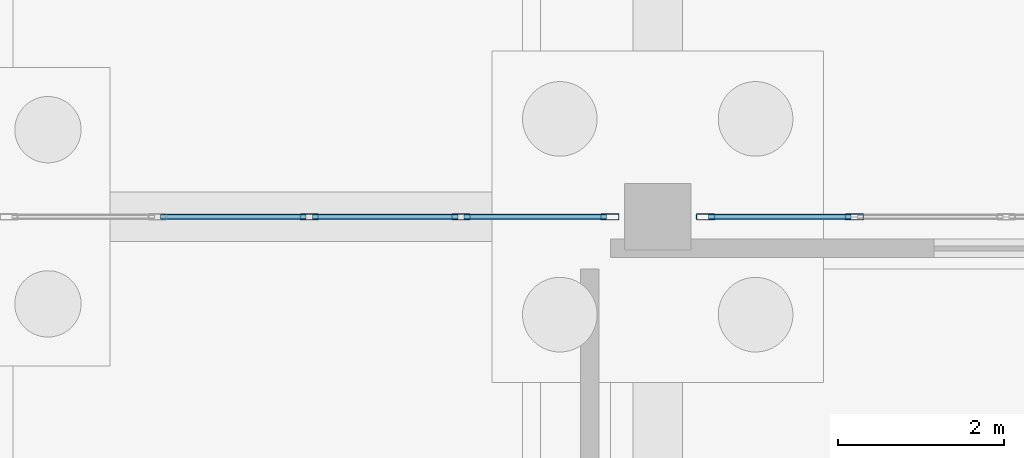
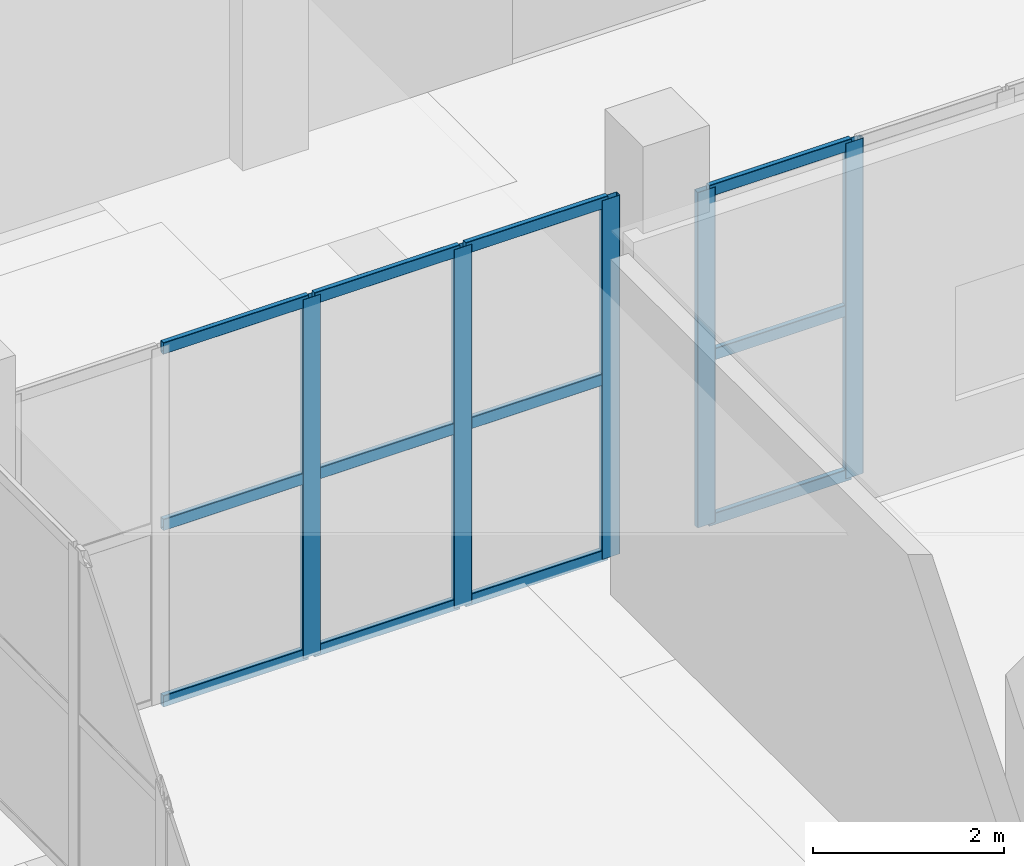
# One storey, part 24 of 65: 17 members, 2 elements without a shape of their own.
"""IFC4 building model written with IfcOpenShell, lengths in metres."""

from ifc_helpers import new_model, si_unit, direction, frame, origin, origin_2d, place, context, subcontext, project, spatial, hollow_rectangle, extrude, material, layer, layer_set, material_profile, profile_set, type_object, element, aggregate, save


model = new_model("IFC4")

# Units and contexts
model_context = context("Model", 3, precision=1e-05, world=origin(), true_north=direction((0.0, 1.0)))
body_context = subcontext(model_context, "Body", "Model", "MODEL_VIEW")
ifc_project = project(units=[si_unit("LENGTHUNIT", "METRE"), si_unit("AREAUNIT", "SQUARE_METRE"), si_unit("VOLUMEUNIT", "CUBIC_METRE"), si_unit("PLANEANGLEUNIT", "RADIAN"), si_unit("MASSUNIT", "GRAM", prefix="KILO")], contexts=[model_context])

# Site, building, storey
site_placement = place(None, origin())
site = spatial("IfcSite", under=ifc_project, at=site_placement, CompositionType="ELEMENT")
building_placement = place(site_placement, origin())
building = spatial("IfcBuilding", under=site, at=building_placement, Name="Zulmaris Art Gallery", CompositionType="ELEMENT")
storey_placement = place(building_placement, origin())
storey = spatial("IfcBuildingStorey", under=building, at=storey_placement, Name="L00", CompositionType="ELEMENT", Elevation=0.0)

# Curtain wall, members
ifc_material_1 = material(Name="Unitised Low-E Gallery Curtain Wall", Category="aluminium")
ifc_layer = layer(ifc_material_1, 0.179931640625)
ifc_layer_set = layer_set([ifc_layer], Name="Unitised Low-E Gallery Curtain Wall")
curtain_wall_type = type_object("IfcCurtainWallType", Name="CW-CW01", PredefinedType="NOTDEFINED", material=ifc_layer_set)
curtain_wall_1_placement = place(storey_placement, origin())
curtain_wall_1 = element("IfcCurtainWall", 1, at=curtain_wall_1_placement, inside=storey, type_object=curtain_wall_type, Name="L00 curtain wall 88", PredefinedType="NOTDEFINED")
ifc_material_2 = material(Name="Anodised Bronze Aluminium", Category="aluminium")
ifc_material_profile_1 = material_profile(ifc_material_2, hollow_rectangle(XDim=0.074951171875, YDim=0.219970703125, WallThickness=0.0048828125, InnerFilletRadius=0.007568359375, OuterFilletRadius=0.012451171875, at=origin_2d()), Name="ALU 75x220x5")
ifc_profile_set_1 = profile_set([ifc_material_profile_1], Name="Anodised Bronze Aluminium")
member_type_1 = type_object("IfcMemberType", Name="CWMUL-02", PredefinedType="MULLION", material=ifc_profile_set_1)
member_1_placement = place(storey_placement, frame((129.0, 58.800048828125, 0.0), z_axis=(0.0, 0.0, 1.0), x_axis=(0.0, 1.0, 0.0)))
member_1 = element("IfcMember", 2, at=member_1_placement, type_object=member_type_1, Name="CW01 mullion 3", PredefinedType="MULLION", context=body_context, shape_type="SweptSolid", body=[
    extrude(hollow_rectangle(XDim=0.074951171875, YDim=0.219970703125, WallThickness=0.0048828125, InnerFilletRadius=0.007568359375, OuterFilletRadius=0.012451171875, at=origin_2d()), origin(), (0.0, 0.0, 1.0), 4.590087890625),
])
member_2_placement = place(storey_placement, frame((130.830078125, 58.800048828125, 0.0), z_axis=(0.0, 0.0, 1.0), x_axis=(0.0, 1.0, 0.0)))
member_2 = element("IfcMember", 3, at=member_2_placement, type_object=member_type_1, Name="CW01 mullion 4", PredefinedType="MULLION", context=body_context, shape_type="SweptSolid", body=[
    extrude(hollow_rectangle(XDim=0.074951171875, YDim=0.219970703125, WallThickness=0.0048828125, InnerFilletRadius=0.007568359375, OuterFilletRadius=0.012451171875, at=origin_2d()), origin(), (0.0, 0.0, 1.0), 4.590087890625),
])
member_3_placement = place(storey_placement, frame((132.62255859375, 58.800048828125, 0.0), z_axis=(0.0, 0.0, 1.0), x_axis=(0.0, 1.0, 0.0)))
member_3 = element("IfcMember", 4, at=member_3_placement, type_object=member_type_1, Name="CW01 mullion 5", PredefinedType="MULLION", context=body_context, shape_type="SweptSolid", body=[
    extrude(hollow_rectangle(XDim=0.074951171875, YDim=0.219970703125, WallThickness=0.0048828125, InnerFilletRadius=0.007568359375, OuterFilletRadius=0.012451171875, at=origin_2d()), origin(), (0.0, 0.0, 1.0), 4.590087890625),
])

curtain_wall_2_placement = place(storey_placement, origin())
curtain_wall_2 = element("IfcCurtainWall", 5, at=curtain_wall_2_placement, inside=storey, type_object=curtain_wall_type, Name="L00 curtain wall 89", PredefinedType="NOTDEFINED")
member_4_placement = place(storey_placement, frame((133.777587890625, 58.800048828125, 0.0), z_axis=(0.0, 0.0, 1.0), x_axis=(0.0, 1.0, 0.0)))
member_4 = element("IfcMember", 6, at=member_4_placement, type_object=member_type_1, Name="CW01 mullion 1", PredefinedType="MULLION", context=body_context, shape_type="SweptSolid", body=[
    extrude(hollow_rectangle(XDim=0.074951171875, YDim=0.219970703125, WallThickness=0.0048828125, InnerFilletRadius=0.007568359375, OuterFilletRadius=0.012451171875, at=origin_2d()), origin(), (0.0, 0.0, 1.0), 4.2900390625),
])
member_5_placement = place(storey_placement, frame((135.570068359375, 58.800048828125, 0.0), z_axis=(0.0, 0.0, 1.0), x_axis=(0.0, 1.0, 0.0)))
member_5 = element("IfcMember", 7, at=member_5_placement, type_object=member_type_1, Name="CW01 mullion 2", PredefinedType="MULLION", context=body_context, shape_type="SweptSolid", body=[
    extrude(hollow_rectangle(XDim=0.074951171875, YDim=0.219970703125, WallThickness=0.0048828125, InnerFilletRadius=0.007568359375, OuterFilletRadius=0.012451171875, at=origin_2d()), origin(), (0.0, 0.0, 1.0), 4.2900390625),
])

# Member
ifc_material_profile_2 = material_profile(ifc_material_2, hollow_rectangle(XDim=0.06494140625, YDim=0.14990234375, WallThickness=0.00390625, InnerFilletRadius=0.006103515625, OuterFilletRadius=0.010009765625, at=origin_2d()), Name="ALU 65x150x4")
ifc_profile_set_2 = profile_set([ifc_material_profile_2], Name="Anodised Bronze Aluminium")
member_type_2 = type_object("IfcMemberType", Name="CWTRN-01", PredefinedType="USERDEFINED", material=ifc_profile_set_2)
member_6_placement = place(storey_placement, frame((127.20751953125, 58.800048828125, 0.03759765625), z_axis=(1.0, 0.0, 0.0), x_axis=(0.0, 1.0, 0.0)))
member_6 = element("IfcMember", 8, at=member_6_placement, type_object=member_type_2, Name="CW01 transom 2.1", ObjectType="TRANSOM", PredefinedType="USERDEFINED", context=body_context, shape_type="SweptSolid", body=[
    extrude(hollow_rectangle(XDim=0.06494140625, YDim=0.14990234375, WallThickness=0.00390625, InnerFilletRadius=0.006103515625, OuterFilletRadius=0.010009765625, at=origin_2d()), origin(), (0.0, 0.0, 1.0), 1.7548828125),
])

member_7_placement = place(storey_placement, frame((127.20751953125, 58.800048828125, 2.294921875), z_axis=(1.0, 0.0, 0.0), x_axis=(0.0, 1.0, 0.0)))
member_7 = element("IfcMember", 9, at=member_7_placement, type_object=member_type_2, Name="CW01 transom 2.2", ObjectType="TRANSOM", PredefinedType="USERDEFINED", context=body_context, shape_type="SweptSolid", body=[
    extrude(hollow_rectangle(XDim=0.06494140625, YDim=0.14990234375, WallThickness=0.00390625, InnerFilletRadius=0.006103515625, OuterFilletRadius=0.010009765625, at=origin_2d()), origin(), (0.0, 0.0, 1.0), 1.7548828125),
])

member_8_placement = place(storey_placement, frame((127.20751953125, 58.800048828125, 4.552490234375), z_axis=(1.0, 0.0, 0.0), x_axis=(0.0, 1.0, 0.0)))
member_8 = element("IfcMember", 10, at=member_8_placement, type_object=member_type_2, Name="CW01 transom 2.3", ObjectType="TRANSOM", PredefinedType="USERDEFINED", context=body_context, shape_type="SweptSolid", body=[
    extrude(hollow_rectangle(XDim=0.06494140625, YDim=0.14990234375, WallThickness=0.00390625, InnerFilletRadius=0.006103515625, OuterFilletRadius=0.010009765625, at=origin_2d()), origin(), (0.0, 0.0, 1.0), 1.7548828125),
])

member_9_placement = place(storey_placement, frame((129.03759765625, 58.800048828125, 0.03759765625), z_axis=(1.0, 0.0, 0.0), x_axis=(0.0, 1.0, 0.0)))
member_9 = element("IfcMember", 11, at=member_9_placement, type_object=member_type_2, Name="CW01 transom 3.1", ObjectType="TRANSOM", PredefinedType="USERDEFINED", context=body_context, shape_type="SweptSolid", body=[
    extrude(hollow_rectangle(XDim=0.06494140625, YDim=0.14990234375, WallThickness=0.00390625, InnerFilletRadius=0.006103515625, OuterFilletRadius=0.010009765625, at=origin_2d()), origin(), (0.0, 0.0, 1.0), 1.7548828125),
])

member_10_placement = place(storey_placement, frame((129.03759765625, 58.800048828125, 2.294921875), z_axis=(1.0, 0.0, 0.0), x_axis=(0.0, 1.0, 0.0)))
member_10 = element("IfcMember", 12, at=member_10_placement, type_object=member_type_2, Name="CW01 transom 3.2", ObjectType="TRANSOM", PredefinedType="USERDEFINED", context=body_context, shape_type="SweptSolid", body=[
    extrude(hollow_rectangle(XDim=0.06494140625, YDim=0.14990234375, WallThickness=0.00390625, InnerFilletRadius=0.006103515625, OuterFilletRadius=0.010009765625, at=origin_2d()), origin(), (0.0, 0.0, 1.0), 1.7548828125),
])

member_11_placement = place(storey_placement, frame((129.03759765625, 58.800048828125, 4.552490234375), z_axis=(1.0, 0.0, 0.0), x_axis=(0.0, 1.0, 0.0)))
member_11 = element("IfcMember", 13, at=member_11_placement, type_object=member_type_2, Name="CW01 transom 3.3", ObjectType="TRANSOM", PredefinedType="USERDEFINED", context=body_context, shape_type="SweptSolid", body=[
    extrude(hollow_rectangle(XDim=0.06494140625, YDim=0.14990234375, WallThickness=0.00390625, InnerFilletRadius=0.006103515625, OuterFilletRadius=0.010009765625, at=origin_2d()), origin(), (0.0, 0.0, 1.0), 1.7548828125),
])

member_12_placement = place(storey_placement, frame((130.867431640625, 58.800048828125, 0.03759765625), z_axis=(1.0, 0.0, 0.0), x_axis=(0.0, 1.0, 0.0)))
member_12 = element("IfcMember", 14, at=member_12_placement, type_object=member_type_2, Name="CW01 transom 4.1", ObjectType="TRANSOM", PredefinedType="USERDEFINED", context=body_context, shape_type="SweptSolid", body=[
    extrude(hollow_rectangle(XDim=0.06494140625, YDim=0.14990234375, WallThickness=0.00390625, InnerFilletRadius=0.006103515625, OuterFilletRadius=0.010009765625, at=origin_2d()), origin(), (0.0, 0.0, 1.0), 1.717529296875),
])

member_13_placement = place(storey_placement, frame((130.867431640625, 58.800048828125, 2.294921875), z_axis=(1.0, 0.0, 0.0), x_axis=(0.0, 1.0, 0.0)))
member_13 = element("IfcMember", 15, at=member_13_placement, type_object=member_type_2, Name="CW01 transom 4.2", ObjectType="TRANSOM", PredefinedType="USERDEFINED", context=body_context, shape_type="SweptSolid", body=[
    extrude(hollow_rectangle(XDim=0.06494140625, YDim=0.14990234375, WallThickness=0.00390625, InnerFilletRadius=0.006103515625, OuterFilletRadius=0.010009765625, at=origin_2d()), origin(), (0.0, 0.0, 1.0), 1.717529296875),
])

member_14_placement = place(storey_placement, frame((130.867431640625, 58.800048828125, 4.552490234375), z_axis=(1.0, 0.0, 0.0), x_axis=(0.0, 1.0, 0.0)))
member_14 = element("IfcMember", 16, at=member_14_placement, type_object=member_type_2, Name="CW01 transom 4.3", ObjectType="TRANSOM", PredefinedType="USERDEFINED", context=body_context, shape_type="SweptSolid", body=[
    extrude(hollow_rectangle(XDim=0.06494140625, YDim=0.14990234375, WallThickness=0.00390625, InnerFilletRadius=0.006103515625, OuterFilletRadius=0.010009765625, at=origin_2d()), origin(), (0.0, 0.0, 1.0), 1.717529296875),
])

aggregate(curtain_wall_1, [member_1, member_2, member_3, member_6, member_7, member_8, member_9, member_10, member_11, member_12, member_13, member_14])

member_15_placement = place(storey_placement, frame((133.81494140625, 58.800048828125, 0.03759765625), z_axis=(1.0, 0.0, 0.0), x_axis=(0.0, 1.0, 0.0)))
member_15 = element("IfcMember", 17, at=member_15_placement, type_object=member_type_2, Name="CW01 transom 1.1", ObjectType="TRANSOM", PredefinedType="USERDEFINED", context=body_context, shape_type="SweptSolid", body=[
    extrude(hollow_rectangle(XDim=0.06494140625, YDim=0.14990234375, WallThickness=0.00390625, InnerFilletRadius=0.006103515625, OuterFilletRadius=0.010009765625, at=origin_2d()), origin(), (0.0, 0.0, 1.0), 1.717529296875),
])

member_16_placement = place(storey_placement, frame((133.81494140625, 58.800048828125, 2.14501953125), z_axis=(1.0, 0.0, 0.0), x_axis=(0.0, 1.0, 0.0)))
member_16 = element("IfcMember", 18, at=member_16_placement, type_object=member_type_2, Name="CW01 transom 1.2", ObjectType="TRANSOM", PredefinedType="USERDEFINED", context=body_context, shape_type="SweptSolid", body=[
    extrude(hollow_rectangle(XDim=0.06494140625, YDim=0.14990234375, WallThickness=0.00390625, InnerFilletRadius=0.006103515625, OuterFilletRadius=0.010009765625, at=origin_2d()), origin(), (0.0, 0.0, 1.0), 1.717529296875),
])

member_17_placement = place(storey_placement, frame((133.81494140625, 58.800048828125, 4.25244140625), z_axis=(1.0, 0.0, 0.0), x_axis=(0.0, 1.0, 0.0)))
member_17 = element("IfcMember", 19, at=member_17_placement, type_object=member_type_2, Name="CW01 transom 1.3", ObjectType="TRANSOM", PredefinedType="USERDEFINED", context=body_context, shape_type="SweptSolid", body=[
    extrude(hollow_rectangle(XDim=0.06494140625, YDim=0.14990234375, WallThickness=0.00390625, InnerFilletRadius=0.006103515625, OuterFilletRadius=0.010009765625, at=origin_2d()), origin(), (0.0, 0.0, 1.0), 1.717529296875),
])

aggregate(curtain_wall_2, [member_4, member_5, member_15, member_16, member_17])

save(model, "model.ifc")
